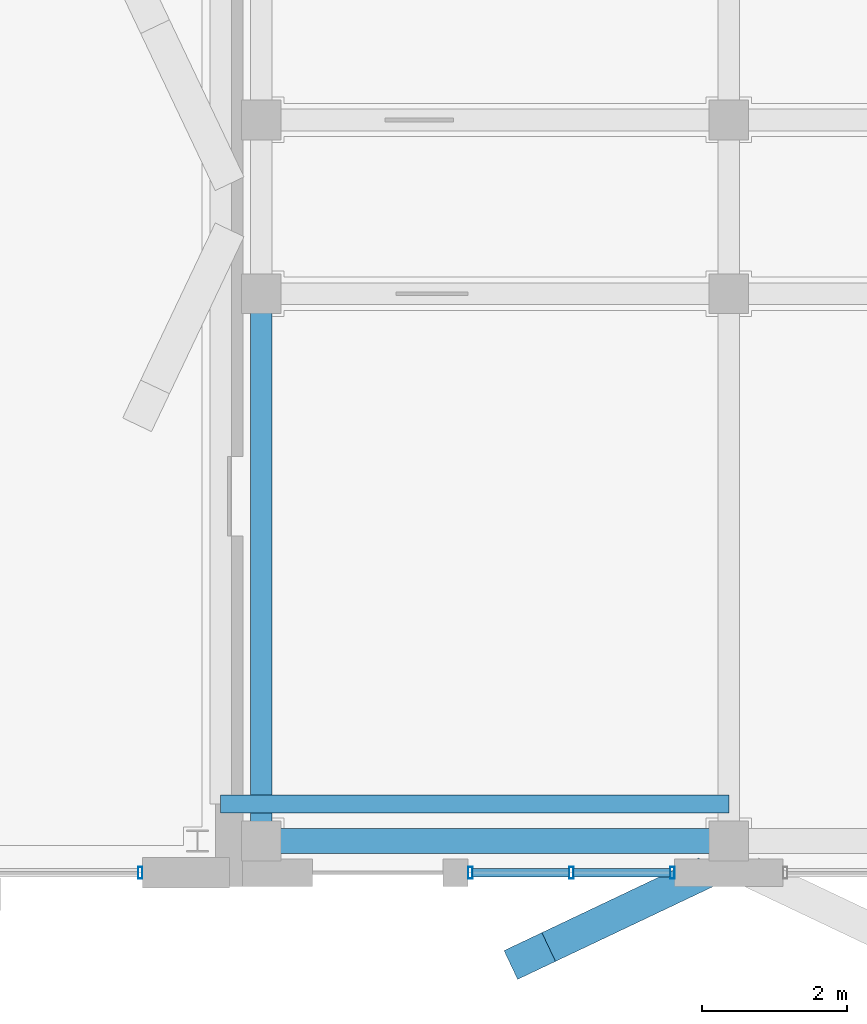
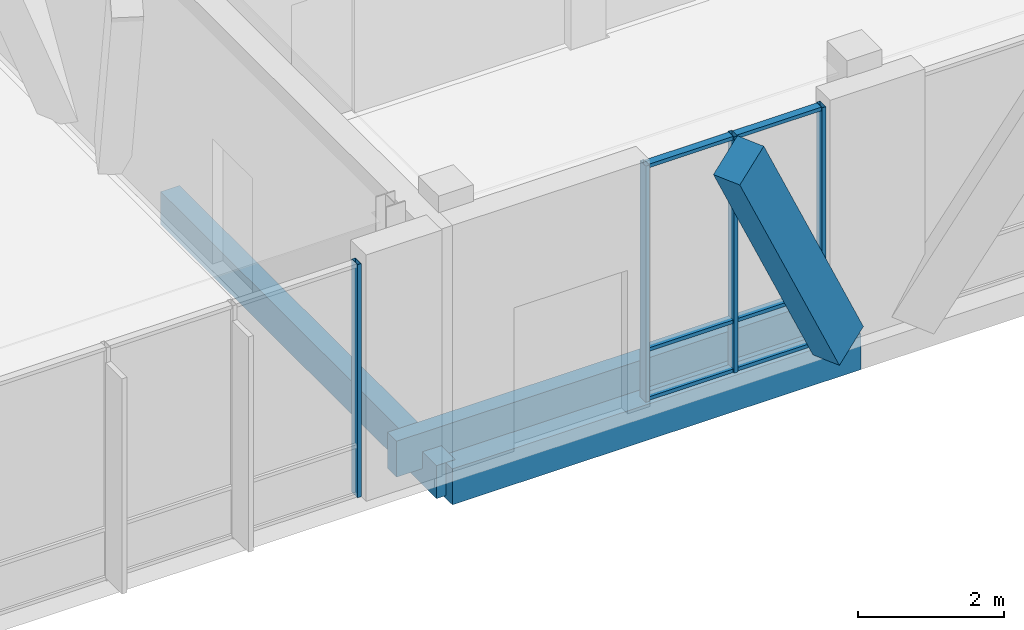
# One storey, part 72 of 233: 11 members, 3 beams, 2 elements without a shape of their own.
"""IFC4 building model written with IfcOpenShell, lengths in metres."""

from ifc_helpers import new_model, si_unit, direction, frame, origin, origin_2d, place, context, subcontext, project, spatial, rectangle, hollow_rectangle, extrude, material, material_profile, profile_set, type_object, element, aggregate, save


model = new_model("IFC4")

# Units and contexts
model_context = context("Model", 3, precision=1e-05, world=origin(), true_north=direction((0.0, 1.0)))
body_context = subcontext(model_context, "Body", "Model", "MODEL_VIEW")
ifc_project = project(units=[si_unit("LENGTHUNIT", "METRE"), si_unit("AREAUNIT", "SQUARE_METRE"), si_unit("VOLUMEUNIT", "CUBIC_METRE"), si_unit("PLANEANGLEUNIT", "RADIAN"), si_unit("MASSUNIT", "GRAM", prefix="KILO")], contexts=[model_context])

# Site, building, storey
site_placement = place(None, origin())
site = spatial("IfcSite", under=ifc_project, at=site_placement, CompositionType="ELEMENT")
building_placement = place(site_placement, origin())
building = spatial("IfcBuilding", under=site, at=building_placement, Name="Zavelmont Quarter", CompositionType="ELEMENT")
storey_placement = place(building_placement, origin())
storey = spatial("IfcBuildingStorey", under=building, at=storey_placement, Name="L00", CompositionType="ELEMENT", Elevation=0.0)

# Beams
ifc_material_1 = material(Name="Concrete C35/45", Category="concrete")
ifc_material_profile_1 = material_profile(ifc_material_1, rectangle(XDim=0.35009765625, YDim=0.60009765625, at=origin_2d()), Name="RC350X600")
ifc_profile_set_1 = profile_set([ifc_material_profile_1], Name="Concrete C35/45")
beam_type_1 = type_object("IfcBeamType", Name="BM01", PredefinedType="SPANDREL", material=ifc_profile_set_1)
beam_1_placement = place(storey_placement, frame((113.239990234375, 0.43994140625, -0.6201171875), z_axis=(1.0, 0.0, 0.0), x_axis=(0.0, 1.0, 0.0)))
element("IfcBeam", 1, at=beam_1_placement, inside=storey, type_object=beam_type_1, Name="L00 beam BM01 17/A to 18/A", PredefinedType="SPANDREL", context=body_context, shape_type="SweptSolid", body=[
    extrude(rectangle(XDim=0.35009765625, YDim=0.60009765625, at=origin_2d()), origin(), (0.0, 0.0, 1.0), 6.4599609375),
])
ifc_material_profile_2 = material_profile(ifc_material_1, rectangle(XDim=0.300048828125, YDim=0.550048828125, at=origin_2d()), Name="RC300X550")
ifc_profile_set_2 = profile_set([ifc_material_profile_2], Name="Concrete C35/45")
beam_type_2 = type_object("IfcBeamType", Name="BM02", PredefinedType="SPANDREL", material=ifc_profile_set_2)
beam_2_placement = place(storey_placement, frame((113.239990234375, 0.43994140625, -0.594970703125), z_axis=(0.0, 1.0, 0.0), x_axis=(-1.0, 0.0, 0.0)))
element("IfcBeam", 2, at=beam_2_placement, inside=storey, type_object=beam_type_2, Name="L00 beam BM02 17/A to 17/B", PredefinedType="SPANDREL", context=body_context, shape_type="SweptSolid", body=[
    extrude(rectangle(XDim=0.300048828125, YDim=0.550048828125, at=origin_2d()), origin(), (0.0, 0.0, 1.0), 7.56005859375),
])
ifc_material_2 = material(Name="Concrete C40/50", Category="concrete")
ifc_material_profile_3 = material_profile(ifc_material_2, rectangle(XDim=0.25, YDim=0.60009765625, at=origin_2d()), Name="RC250X600")
ifc_profile_set_3 = profile_set([ifc_material_profile_3], Name="Concrete C40/50")
beam_type_3 = type_object("IfcBeamType", Name="BM18", PredefinedType="BEAM", material=ifc_profile_set_3)
beam_3_placement = place(storey_placement, frame((119.699951171875, 0.949951171875, -0.300048828125), z_axis=(-1.0, 0.0, 0.0), x_axis=(0.0, -1.0, 0.0)))
element("IfcBeam", 3, at=beam_3_placement, inside=storey, type_object=beam_type_3, Name="L00 beam BM18 18/A to 17/A", PredefinedType="BEAM", context=body_context, shape_type="SweptSolid", body=[
    extrude(rectangle(XDim=0.25, YDim=0.60009765625, at=origin_2d()), origin(), (0.0, 0.0, 1.0), 7.02001953125),
])

# Curtain wall, members
ifc_material_3 = material(Name="Thermally broken aluminium and double low-E safety glazing", Category="aluminium")
curtain_wall_type_1 = type_object("IfcCurtainWallType", Name="CW-285X395", PredefinedType="NOTDEFINED", material=ifc_material_3)
curtain_wall_1_placement = place(storey_placement, origin())
curtain_wall_1 = element("IfcCurtainWall", 4, at=curtain_wall_1_placement, inside=storey, type_object=curtain_wall_type_1, Name="L00 unitised curtain wall CW-285X395", PredefinedType="NOTDEFINED")
ifc_material_4 = material(Name="Powder-coated aluminium EN AW-6063-T6", Category="aluminium")
ifc_material_profile_4 = material_profile(ifc_material_4, hollow_rectangle(XDim=0.06005859375, YDim=0.159912109375, WallThickness=0.00390625, at=origin_2d()), Name="CWM60X160")
ifc_profile_set_4 = profile_set([ifc_material_profile_4], Name="Powder-coated aluminium EN AW-6063-T6")
member_type_1 = type_object("IfcMemberType", Name="CWM01", PredefinedType="MULLION", material=ifc_profile_set_4)
member_1_placement = place(storey_placement, frame((116.1298828125, 0.0, 0.0), z_axis=(0.0, 0.0, 1.0), x_axis=(1.0, 0.0, 0.0)))
member_1 = element("IfcMember", 5, at=member_1_placement, type_object=member_type_1, Name="CW-285X395 mullion 1", PredefinedType="MULLION", context=body_context, shape_type="SweptSolid", body=[
    extrude(hollow_rectangle(XDim=0.06005859375, YDim=0.159912109375, WallThickness=0.00390625, at=origin_2d()), origin(), (0.0, 0.0, 1.0), 3.949951171875),
])
member_2_placement = place(storey_placement, frame((117.52490234375, 0.0, 0.0), z_axis=(0.0, 0.0, 1.0), x_axis=(1.0, 0.0, 0.0)))
member_2 = element("IfcMember", 6, at=member_2_placement, type_object=member_type_1, Name="CW-285X395 mullion 2", PredefinedType="MULLION", context=body_context, shape_type="SweptSolid", body=[
    extrude(hollow_rectangle(XDim=0.06005859375, YDim=0.159912109375, WallThickness=0.00390625, at=origin_2d()), origin(), (0.0, 0.0, 1.0), 3.949951171875),
])
member_3_placement = place(storey_placement, frame((118.919921875, 0.0, 0.0), z_axis=(0.0, 0.0, 1.0), x_axis=(1.0, 0.0, 0.0)))
member_3 = element("IfcMember", 7, at=member_3_placement, type_object=member_type_1, Name="CW-285X395 mullion 3", PredefinedType="MULLION", context=body_context, shape_type="SweptSolid", body=[
    extrude(hollow_rectangle(XDim=0.06005859375, YDim=0.159912109375, WallThickness=0.00390625, at=origin_2d()), origin(), (0.0, 0.0, 1.0), 3.949951171875),
])

# Curtain wall, member
curtain_wall_type_2 = type_object("IfcCurtainWallType", Name="CW-600X390", PredefinedType="NOTDEFINED", material=ifc_material_3)
curtain_wall_2_placement = place(storey_placement, origin())
curtain_wall_2 = element("IfcCurtainWall", 8, at=curtain_wall_2_placement, inside=storey, type_object=curtain_wall_type_2, Name="L00 unitised curtain wall CW-600X390", PredefinedType="NOTDEFINED")
member_4_placement = place(storey_placement, frame((111.570068359375, 0.0, 0.0), z_axis=(0.0, 0.0, 1.0), x_axis=(1.0, 0.0, 0.0)))
member_4 = element("IfcMember", 9, at=member_4_placement, type_object=member_type_1, Name="CW-600X390 mullion 4", PredefinedType="MULLION", context=body_context, shape_type="SweptSolid", body=[
    extrude(hollow_rectangle(XDim=0.06005859375, YDim=0.159912109375, WallThickness=0.00390625, at=origin_2d()), origin(), (0.0, 0.0, 1.0), 3.89990234375),
])
aggregate(curtain_wall_2, [member_4])

# Member
ifc_material_profile_5 = material_profile(ifc_material_4, hollow_rectangle(XDim=0.1201171875, YDim=0.06005859375, WallThickness=0.00390625, at=origin_2d()), Name="CWT60X120")
ifc_profile_set_5 = profile_set([ifc_material_profile_5], Name="Powder-coated aluminium EN AW-6063-T6")
member_type_2 = type_object("IfcMemberType", Name="CWT01", PredefinedType="NOTDEFINED", material=ifc_profile_set_5)
member_5_placement = place(storey_placement, frame((116.159912109375, 0.0, 0.030029296875), z_axis=(1.0, 0.0, 0.0), x_axis=(0.0, 1.0, 0.0)))
member_5 = element("IfcMember", 10, at=member_5_placement, type_object=member_type_2, Name="CW-285X395 transom 1.1", ObjectType="TRANSOM", PredefinedType="USERDEFINED", context=body_context, shape_type="SweptSolid", body=[
    extrude(hollow_rectangle(XDim=0.1201171875, YDim=0.06005859375, WallThickness=0.00390625, at=origin_2d()), origin(), (0.0, 0.0, 1.0), 1.335205078125),
])

member_6_placement = place(storey_placement, frame((116.159912109375, 0.0, 0.85009765625), z_axis=(1.0, 0.0, 0.0), x_axis=(0.0, 1.0, 0.0)))
member_6 = element("IfcMember", 11, at=member_6_placement, type_object=member_type_2, Name="CW-285X395 transom 1.2", ObjectType="TRANSOM", PredefinedType="USERDEFINED", context=body_context, shape_type="SweptSolid", body=[
    extrude(hollow_rectangle(XDim=0.1201171875, YDim=0.06005859375, WallThickness=0.00390625, at=origin_2d()), origin(), (0.0, 0.0, 1.0), 1.335205078125),
])

member_7_placement = place(storey_placement, frame((116.159912109375, 0.0, 3.919921875), z_axis=(1.0, 0.0, 0.0), x_axis=(0.0, 1.0, 0.0)))
member_7 = element("IfcMember", 12, at=member_7_placement, type_object=member_type_2, Name="CW-285X395 transom 1.3", ObjectType="TRANSOM", PredefinedType="USERDEFINED", context=body_context, shape_type="SweptSolid", body=[
    extrude(hollow_rectangle(XDim=0.1201171875, YDim=0.06005859375, WallThickness=0.00390625, at=origin_2d()), origin(), (0.0, 0.0, 1.0), 1.335205078125),
])

member_8_placement = place(storey_placement, frame((117.554931640625, 0.0, 0.030029296875), z_axis=(1.0, 0.0, 0.0), x_axis=(0.0, 1.0, 0.0)))
member_8 = element("IfcMember", 13, at=member_8_placement, type_object=member_type_2, Name="CW-285X395 transom 2.1", ObjectType="TRANSOM", PredefinedType="USERDEFINED", context=body_context, shape_type="SweptSolid", body=[
    extrude(hollow_rectangle(XDim=0.1201171875, YDim=0.06005859375, WallThickness=0.00390625, at=origin_2d()), origin(), (0.0, 0.0, 1.0), 1.3349609375),
])

member_9_placement = place(storey_placement, frame((117.554931640625, 0.0, 0.85009765625), z_axis=(1.0, 0.0, 0.0), x_axis=(0.0, 1.0, 0.0)))
member_9 = element("IfcMember", 14, at=member_9_placement, type_object=member_type_2, Name="CW-285X395 transom 2.2", ObjectType="TRANSOM", PredefinedType="USERDEFINED", context=body_context, shape_type="SweptSolid", body=[
    extrude(hollow_rectangle(XDim=0.1201171875, YDim=0.06005859375, WallThickness=0.00390625, at=origin_2d()), origin(), (0.0, 0.0, 1.0), 1.3349609375),
])

member_10_placement = place(storey_placement, frame((117.554931640625, 0.0, 3.919921875), z_axis=(1.0, 0.0, 0.0), x_axis=(0.0, 1.0, 0.0)))
member_10 = element("IfcMember", 15, at=member_10_placement, type_object=member_type_2, Name="CW-285X395 transom 2.3", ObjectType="TRANSOM", PredefinedType="USERDEFINED", context=body_context, shape_type="SweptSolid", body=[
    extrude(hollow_rectangle(XDim=0.1201171875, YDim=0.06005859375, WallThickness=0.00390625, at=origin_2d()), origin(), (0.0, 0.0, 1.0), 1.3349609375),
])

aggregate(curtain_wall_1, [member_1, member_2, member_3, member_5, member_6, member_7, member_8, member_9, member_10])

ifc_material_5 = material(Name="White architectural precast concrete C40/50", Category="concrete")
ifc_material_profile_6 = material_profile(ifc_material_5, rectangle(XDim=0.43994140625, YDim=0.659912109375, at=origin_2d()), Name="PCR320X480")
ifc_profile_set_6 = profile_set([ifc_material_profile_6], Name="White architectural precast concrete C40/50")
member_type_3 = type_object("IfcMemberType", Name="VR01M", PredefinedType="CHORD", material=ifc_profile_set_6)
member_11_placement = place(storey_placement, frame((119.1201171875, -0.1201171875, 0.0), z_axis=(-0.432876253189, -0.205431147159, 0.877733554789), x_axis=(0.428741640077, -0.903427144857, 0.0)))
element("IfcMember", 16, at=member_11_placement, inside=storey, type_object=member_type_3, Name="L00 member VR01M 18/A to 18/A", PredefinedType="CHORD", context=body_context, shape_type="SweptSolid", body=[
    extrude(rectangle(XDim=0.43994140625, YDim=0.659912109375, at=origin_2d()), origin(), (0.0, 0.0, 1.0), 5.0126953125),
])

save(model, "model.ifc")
